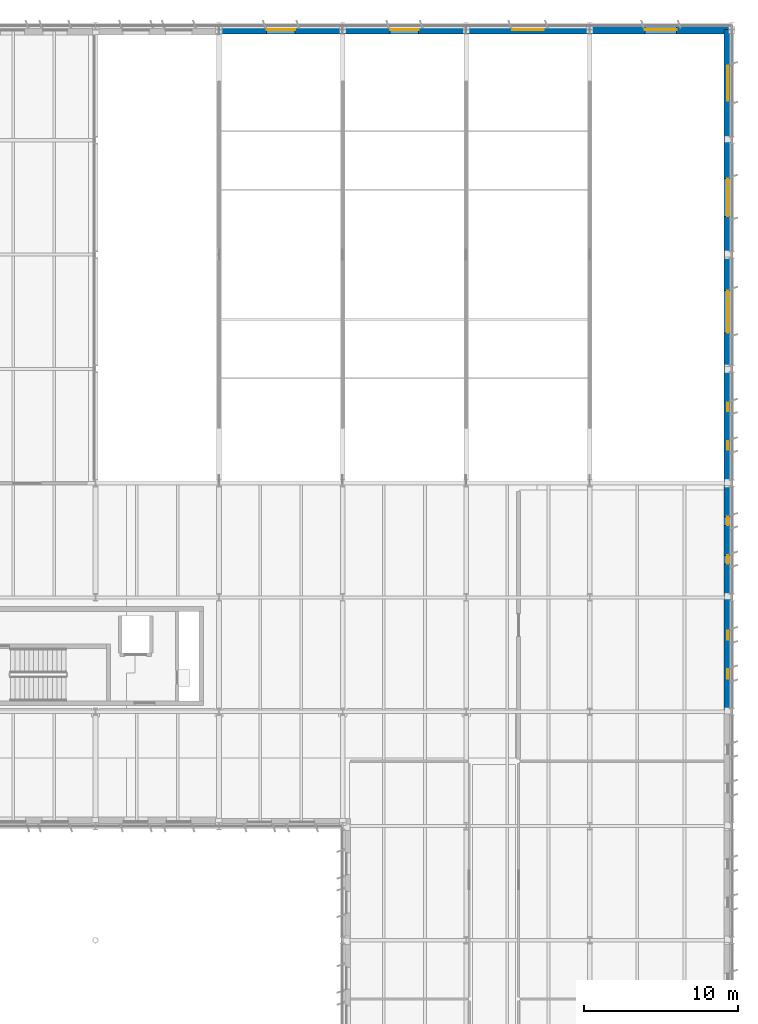
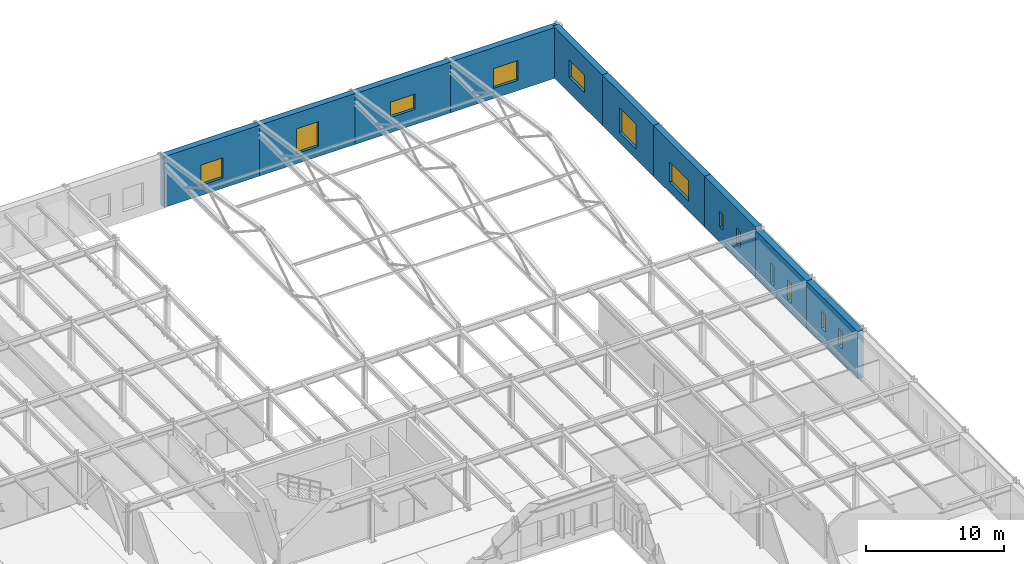
# One storey, part 52 of 75: 13 windows, 10 walls, 13 openings.
"""IFC4 building model written with IfcOpenShell, lengths in metres."""

from ifc_helpers import new_model, si_unit, direction, frame, frame_2d, origin, place, context, subcontext, project, spatial, rectangle, extrude, material, layer, layer_set, type_object, element, fill, save


model = new_model("IFC4")

# Units and contexts
model_context = context("Model", 3, precision=1e-05, world=origin(), true_north=direction((0.0, 1.0)))
body_context = subcontext(model_context, "Body", "Model", "MODEL_VIEW")
ifc_project = project(units=[si_unit("LENGTHUNIT", "METRE"), si_unit("AREAUNIT", "SQUARE_METRE"), si_unit("VOLUMEUNIT", "CUBIC_METRE"), si_unit("PLANEANGLEUNIT", "RADIAN"), si_unit("MASSUNIT", "GRAM", prefix="KILO")], contexts=[model_context])

# Site, building, storey
site_placement = place(None, origin())
site = spatial("IfcSite", under=ifc_project, at=site_placement, CompositionType="ELEMENT")
building_placement = place(site_placement, origin())
building = spatial("IfcBuilding", under=site, at=building_placement, Name="Valkorina Park Police Headquarters", CompositionType="ELEMENT")
storey_placement = place(building_placement, frame((0.0, 0.0, 5.39990234375)))
storey = spatial("IfcBuildingStorey", under=building, at=storey_placement, Name="L02", CompositionType="ELEMENT", Elevation=5.39990234375)

# Wall, opening, window
ifc_material_1 = material(Name="Precast concrete C40/50", Category="concrete")
ifc_layer_1 = layer(ifc_material_1, 0.5)
ifc_layer_set_1 = layer_set([ifc_layer_1], Name="Precast concrete C40/50")
wall_type = type_object("IfcWallType", Name="WL-EXT-SPANDREL-500", PredefinedType="STANDARD", material=ifc_layer_set_1)
wall_1_placement = place(storey_placement, frame((128.800048828125, 110.75, 0.0), z_axis=(0.0, 0.0, 1.0), x_axis=(1.0, 0.0, 0.0)))
wall_1 = element("IfcWall", 1, at=wall_1_placement, inside=storey, type_object=wall_type, Name="L02 Architectural Concrete Exterior Wall 0148", PredefinedType="STANDARD", context=body_context, shape_type="SweptSolid", body=[
    extrude(rectangle(XDim=8.0, YDim=0.5, at=frame_2d((4.0, 0.0))), origin(), (0.0, 0.0, 1.0), 4.5),
])
opening_1_placement = place(wall_1_placement, frame((3.074951171875, 0.0, 0.89990234375)))
opening_1 = element("IfcOpeningElement", 2, at=opening_1_placement, cuts=wall_1, Name="Opening WN-29", PredefinedType="OPENING", context=body_context, shape_type="SweptSolid", body=[
    extrude(rectangle(XDim=1.85009765625, YDim=1.800048828125, at=frame_2d((0.925048828125, 0.89990234375))), frame((0.0, 0.260009765625, 0.0), z_axis=(0.0, -1.0, 0.0), x_axis=(1.0, 0.0, 0.0)), (0.0, 0.0, 1.0), 0.52001953125),
])
ifc_material_2 = material(Name="Triple low-E insulated glazing", Category="glass")
ifc_layer_2 = layer(ifc_material_2, 0.06005859375)
ifc_layer_set_2 = layer_set([ifc_layer_2], Name="Triple low-E insulated glazing")
window_type_1 = type_object("IfcWindowType", Name="WN-OFF-1850x1800", PartitioningType="SINGLE_PANEL", PredefinedType="WINDOW", material=ifc_layer_set_2)
window_1_placement = place(opening_1_placement, origin())
window_1 = element("IfcWindow", 3, at=window_1_placement, inside=storey, type_object=window_type_1, Name="Window L02-0248", OverallHeight=1.800048828125, OverallWidth=1.85009765625, PartitioningType="SINGLE_PANEL", PredefinedType="WINDOW", context=body_context, shape_type="SweptSolid", body=[
    extrude(rectangle(XDim=1.85009765625, YDim=1.800048828125, at=frame_2d((0.925048828125, 0.89990234375))), frame((0.0, 0.030029296875, 0.0), z_axis=(0.0, -1.0, 0.0), x_axis=(1.0, 0.0, 0.0)), (0.0, 0.0, 1.0), 0.06005859375),
])
fill(opening_1, window_1)

wall_2_placement = place(storey_placement, frame((136.800048828125, 110.75, 0.0), z_axis=(0.0, 0.0, 1.0), x_axis=(1.0, 0.0, 0.0)))
wall_2 = element("IfcWall", 4, at=wall_2_placement, inside=storey, type_object=wall_type, Name="L02 Architectural Concrete Exterior Wall 0149", PredefinedType="STANDARD", context=body_context, shape_type="SweptSolid", body=[
    extrude(rectangle(XDim=8.0, YDim=0.5, at=frame_2d((4.0, 0.0))), origin(), (0.0, 0.0, 1.0), 4.5),
])
opening_2_placement = place(wall_2_placement, frame((3.074951171875, 0.0, 0.89990234375)))
opening_2 = element("IfcOpeningElement", 5, at=opening_2_placement, cuts=wall_2, Name="Opening WN-30", PredefinedType="OPENING", context=body_context, shape_type="SweptSolid", body=[
    extrude(rectangle(XDim=1.85009765625, YDim=2.199951171875, at=frame_2d((0.925048828125, 1.10009765625))), frame((0.0, 0.260009765625, 0.0), z_axis=(0.0, -1.0, 0.0), x_axis=(1.0, 0.0, 0.0)), (0.0, 0.0, 1.0), 0.52001953125),
])
ifc_layer_3 = layer(ifc_material_2, 0.06005859375)
ifc_layer_set_3 = layer_set([ifc_layer_3], Name="Triple low-E insulated glazing")
window_type_2 = type_object("IfcWindowType", Name="WN-OFF-1850x2200", PartitioningType="SINGLE_PANEL", PredefinedType="WINDOW", material=ifc_layer_set_3)
window_2_placement = place(opening_2_placement, origin())
window_2 = element("IfcWindow", 6, at=window_2_placement, inside=storey, type_object=window_type_2, Name="Window L02-0249", OverallHeight=2.199951171875, OverallWidth=1.85009765625, PartitioningType="SINGLE_PANEL", PredefinedType="WINDOW", context=body_context, shape_type="SweptSolid", body=[
    extrude(rectangle(XDim=1.85009765625, YDim=2.199951171875, at=frame_2d((0.925048828125, 1.10009765625))), frame((0.0, 0.030029296875, 0.0), z_axis=(0.0, -1.0, 0.0), x_axis=(1.0, 0.0, 0.0)), (0.0, 0.0, 1.0), 0.06005859375),
])
fill(opening_2, window_2)

wall_3_placement = place(storey_placement, frame((144.800048828125, 110.75, 0.0), z_axis=(0.0, 0.0, 1.0), x_axis=(1.0, 0.0, 0.0)))
wall_3 = element("IfcWall", 7, at=wall_3_placement, inside=storey, type_object=wall_type, Name="L02 Architectural Concrete Exterior Wall 0150", PredefinedType="STANDARD", context=body_context, shape_type="SweptSolid", body=[
    extrude(rectangle(XDim=8.0, YDim=0.5, at=frame_2d((4.0, 0.0))), origin(), (0.0, 0.0, 1.0), 4.5),
])
opening_3_placement = place(wall_3_placement, frame((2.97509765625, 0.0, 1.35009765625)))
opening_3 = element("IfcOpeningElement", 8, at=opening_3_placement, cuts=wall_3, Name="Opening WN-31", PredefinedType="OPENING", context=body_context, shape_type="SweptSolid", body=[
    extrude(rectangle(XDim=2.050048828125, YDim=1.35009765625, at=frame_2d((1.02490234375, 0.675048828125))), frame((0.0, 0.260009765625, 0.0), z_axis=(0.0, -1.0, 0.0), x_axis=(1.0, 0.0, 0.0)), (0.0, 0.0, 1.0), 0.52001953125),
])
ifc_layer_4 = layer(ifc_material_2, 0.06005859375)
ifc_layer_set_4 = layer_set([ifc_layer_4], Name="Triple low-E insulated glazing")
window_type_3 = type_object("IfcWindowType", Name="WN-GYM-2050x1350", PartitioningType="SINGLE_PANEL", PredefinedType="WINDOW", material=ifc_layer_set_4)
window_3_placement = place(opening_3_placement, origin())
window_3 = element("IfcWindow", 9, at=window_3_placement, inside=storey, type_object=window_type_3, Name="Window L02-0250", OverallHeight=1.35009765625, OverallWidth=2.050048828125, PartitioningType="SINGLE_PANEL", PredefinedType="WINDOW", context=body_context, shape_type="SweptSolid", body=[
    extrude(rectangle(XDim=2.050048828125, YDim=1.35009765625, at=frame_2d((1.02490234375, 0.675048828125))), frame((0.0, 0.030029296875, 0.0), z_axis=(0.0, -1.0, 0.0), x_axis=(1.0, 0.0, 0.0)), (0.0, 0.0, 1.0), 0.06005859375),
])
fill(opening_3, window_3)

wall_4_placement = place(storey_placement, frame((152.800048828125, 110.75, 0.0), z_axis=(0.0, 0.0, 1.0), x_axis=(1.0, 0.0, 0.0)))
wall_4 = element("IfcWall", 10, at=wall_4_placement, inside=storey, type_object=wall_type, Name="L02 Architectural Concrete Exterior Wall 0151", PredefinedType="STANDARD", context=body_context, shape_type="SweptSolid", body=[
    extrude(rectangle(XDim=9.0400390625, YDim=0.5, at=frame_2d((4.52001953125, 0.0))), origin(), (0.0, 0.0, 1.0), 4.5),
])
opening_4_placement = place(wall_4_placement, frame((3.574951171875, 0.0, 0.89990234375)))
opening_4 = element("IfcOpeningElement", 11, at=opening_4_placement, cuts=wall_4, Name="Opening WN-32", PredefinedType="OPENING", context=body_context, shape_type="SweptSolid", body=[
    extrude(rectangle(XDim=2.050048828125, YDim=1.75, at=frame_2d((1.02490234375, 0.875))), frame((0.0, 0.260009765625, 0.0), z_axis=(0.0, -1.0, 0.0), x_axis=(1.0, 0.0, 0.0)), (0.0, 0.0, 1.0), 0.52001953125),
])
ifc_layer_5 = layer(ifc_material_2, 0.06005859375)
ifc_layer_set_5 = layer_set([ifc_layer_5], Name="Triple low-E insulated glazing")
window_type_4 = type_object("IfcWindowType", Name="WN-GYM-2050x1750", PartitioningType="SINGLE_PANEL", PredefinedType="WINDOW", material=ifc_layer_set_5)
window_4_placement = place(opening_4_placement, origin())
window_4 = element("IfcWindow", 12, at=window_4_placement, inside=storey, type_object=window_type_4, Name="Window L02-0251", OverallHeight=1.75, OverallWidth=2.050048828125, PartitioningType="SINGLE_PANEL", PredefinedType="WINDOW", context=body_context, shape_type="SweptSolid", body=[
    extrude(rectangle(XDim=2.050048828125, YDim=1.75, at=frame_2d((1.02490234375, 0.875))), frame((0.0, 0.030029296875, 0.0), z_axis=(0.0, -1.0, 0.0), x_axis=(1.0, 0.0, 0.0)), (0.0, 0.0, 1.0), 0.06005859375),
])
fill(opening_4, window_4)

wall_5_placement = place(storey_placement, frame((161.75, 110.764892578125, 0.0), z_axis=(0.0, 0.0, 1.0), x_axis=(0.0, -1.0, 0.0)))
wall_5 = element("IfcWall", 13, at=wall_5_placement, inside=storey, type_object=wall_type, Name="L02 Architectural Concrete Exterior Wall 0152", PredefinedType="STANDARD", context=body_context, shape_type="SweptSolid", body=[
    extrude(rectangle(XDim=7.164794921875, YDim=0.5, at=frame_2d((3.58251953125, 0.0))), origin(), (0.0, 0.0, 1.0), 4.5),
])
opening_5_placement = place(wall_5_placement, frame((2.340087890625, 0.0, 1.35009765625)))
opening_5 = element("IfcOpeningElement", 14, at=opening_5_placement, cuts=wall_5, Name="Opening WN-33", PredefinedType="OPENING", context=body_context, shape_type="SweptSolid", body=[
    extrude(rectangle(XDim=2.25, YDim=1.550048828125, at=frame_2d((1.125, 0.77490234375))), frame((0.0, 0.260009765625, 0.0), z_axis=(0.0, -1.0, 0.0), x_axis=(1.0, 0.0, 0.0)), (0.0, 0.0, 1.0), 0.52001953125),
])
ifc_layer_6 = layer(ifc_material_2, 0.06005859375)
ifc_layer_set_6 = layer_set([ifc_layer_6], Name="Triple low-E insulated glazing")
window_type_5 = type_object("IfcWindowType", Name="WN-GYM-2250x1550", PartitioningType="SINGLE_PANEL", PredefinedType="WINDOW", material=ifc_layer_set_6)
window_5_placement = place(opening_5_placement, origin())
window_5 = element("IfcWindow", 15, at=window_5_placement, inside=storey, type_object=window_type_5, Name="Window L02-0252", OverallHeight=1.550048828125, OverallWidth=2.25, PartitioningType="SINGLE_PANEL", PredefinedType="WINDOW", context=body_context, shape_type="SweptSolid", body=[
    extrude(rectangle(XDim=2.25, YDim=1.550048828125, at=frame_2d((1.125, 0.77490234375))), frame((0.0, 0.030029296875, 0.0), z_axis=(0.0, -1.0, 0.0), x_axis=(1.0, 0.0, 0.0)), (0.0, 0.0, 1.0), 0.06005859375),
])
fill(opening_5, window_5)

wall_6_placement = place(storey_placement, frame((161.75, 103.60009765625, 0.0), z_axis=(0.0, 0.0, 1.0), x_axis=(0.0, -1.0, 0.0)))
wall_6 = element("IfcWall", 16, at=wall_6_placement, inside=storey, type_object=wall_type, Name="L02 Architectural Concrete Exterior Wall 0153", PredefinedType="STANDARD", context=body_context, shape_type="SweptSolid", body=[
    extrude(rectangle(XDim=7.400146484375, YDim=0.5, at=frame_2d((3.7001953125, 0.0))), origin(), (0.0, 0.0, 1.0), 4.5),
])
opening_6_placement = place(wall_6_placement, frame((2.47509765625, 0.0, 0.89990234375)))
opening_6 = element("IfcOpeningElement", 17, at=opening_6_placement, cuts=wall_6, Name="Opening WN-34", PredefinedType="OPENING", context=body_context, shape_type="SweptSolid", body=[
    extrude(rectangle(XDim=2.449951171875, YDim=2.199951171875, at=frame_2d((1.22509765625, 1.10009765625))), frame((0.0, 0.260009765625, 0.0), z_axis=(0.0, -1.0, 0.0), x_axis=(1.0, 0.0, 0.0)), (0.0, 0.0, 1.0), 0.52001953125),
])
ifc_layer_7 = layer(ifc_material_2, 0.06005859375)
ifc_layer_set_7 = layer_set([ifc_layer_7], Name="Triple low-E insulated glazing")
window_type_6 = type_object("IfcWindowType", Name="WN-HALL-2450x2200", PartitioningType="SINGLE_PANEL", PredefinedType="WINDOW", material=ifc_layer_set_7)
window_6_placement = place(opening_6_placement, origin())
window_6 = element("IfcWindow", 18, at=window_6_placement, inside=storey, type_object=window_type_6, Name="Window L02-0253", OverallHeight=2.199951171875, OverallWidth=2.449951171875, PartitioningType="SINGLE_PANEL", PredefinedType="WINDOW", context=body_context, shape_type="SweptSolid", body=[
    extrude(rectangle(XDim=2.449951171875, YDim=2.199951171875, at=frame_2d((1.22509765625, 1.10009765625))), frame((0.0, 0.030029296875, 0.0), z_axis=(0.0, -1.0, 0.0), x_axis=(1.0, 0.0, 0.0)), (0.0, 0.0, 1.0), 0.06005859375),
])
fill(opening_6, window_6)

wall_7_placement = place(storey_placement, frame((161.75, 96.199951171875, 0.0), z_axis=(0.0, 0.0, 1.0), x_axis=(0.0, -1.0, 0.0)))
wall_7 = element("IfcWall", 19, at=wall_7_placement, inside=storey, type_object=wall_type, Name="L02 Architectural Concrete Exterior Wall 0154", PredefinedType="STANDARD", context=body_context, shape_type="SweptSolid", body=[
    extrude(rectangle(XDim=7.39990234375, YDim=0.5, at=frame_2d((3.699951171875, 0.0))), origin(), (0.0, 0.0, 1.0), 4.5),
])
opening_7_placement = place(wall_7_placement, frame((2.324951171875, 0.0, 0.89990234375)))
opening_7 = element("IfcOpeningElement", 20, at=opening_7_placement, cuts=wall_7, Name="Opening WN-36", PredefinedType="OPENING", context=body_context, shape_type="SweptSolid", body=[
    extrude(rectangle(XDim=2.75, YDim=1.800048828125, at=frame_2d((1.375, 0.89990234375))), frame((0.0, 0.260009765625, 0.0), z_axis=(0.0, -1.0, 0.0), x_axis=(1.0, 0.0, 0.0)), (0.0, 0.0, 1.0), 0.52001953125),
])
ifc_layer_8 = layer(ifc_material_2, 0.06005859375)
ifc_layer_set_8 = layer_set([ifc_layer_8], Name="Triple low-E insulated glazing")
window_type_7 = type_object("IfcWindowType", Name="WN-CMD-2750x1800", PartitioningType="SINGLE_PANEL", PredefinedType="WINDOW", material=ifc_layer_set_8)
window_7_placement = place(opening_7_placement, origin())
window_7 = element("IfcWindow", 21, at=window_7_placement, inside=storey, type_object=window_type_7, Name="Window L02-0254", OverallHeight=1.800048828125, OverallWidth=2.75, PartitioningType="SINGLE_PANEL", PredefinedType="WINDOW", context=body_context, shape_type="SweptSolid", body=[
    extrude(rectangle(XDim=2.75, YDim=1.800048828125, at=frame_2d((1.375, 0.89990234375))), frame((0.0, 0.030029296875, 0.0), z_axis=(0.0, -1.0, 0.0), x_axis=(1.0, 0.0, 0.0)), (0.0, 0.0, 1.0), 0.06005859375),
])
fill(opening_7, window_7)

# Wall, openings, windows
wall_8_placement = place(storey_placement, frame((161.75, 88.800048828125, 0.0), z_axis=(0.0, 0.0, 1.0), x_axis=(0.0, -1.0, 0.0)))
wall_8 = element("IfcWall", 22, at=wall_8_placement, inside=storey, type_object=wall_type, Name="L02 Architectural Concrete Exterior Wall 0155", PredefinedType="STANDARD", context=body_context, shape_type="SweptSolid", body=[
    extrude(rectangle(XDim=7.400146484375, YDim=0.5, at=frame_2d((3.7001953125, 0.0))), origin(), (0.0, 0.0, 1.0), 4.5),
])
opening_8_placement = place(wall_8_placement, frame((2.177490234375, 0.0, 1.35009765625)))
opening_8 = element("IfcOpeningElement", 23, at=opening_8_placement, cuts=wall_8, Name="Opening WN-01", PredefinedType="OPENING", context=body_context, shape_type="SweptSolid", body=[
    extrude(rectangle(XDim=0.550048828125, YDim=1.39990234375, at=frame_2d((0.27490234375, 0.699951171875))), frame((0.0, 0.260009765625, 0.0), z_axis=(0.0, -1.0, 0.0), x_axis=(1.0, 0.0, 0.0)), (0.0, 0.0, 1.0), 0.52001953125),
])
opening_9_placement = place(wall_8_placement, frame((4.67236328125, 0.0, 1.35009765625)))
opening_9 = element("IfcOpeningElement", 24, at=opening_9_placement, cuts=wall_8, Name="Opening WN-01", PredefinedType="OPENING", context=body_context, shape_type="SweptSolid", body=[
    extrude(rectangle(XDim=0.550048828125, YDim=1.39990234375, at=frame_2d((0.27490234375, 0.699951171875))), frame((0.0, 0.260009765625, 0.0), z_axis=(0.0, -1.0, 0.0), x_axis=(1.0, 0.0, 0.0)), (0.0, 0.0, 1.0), 0.52001953125),
])
ifc_layer_9 = layer(ifc_material_2, 0.06005859375)
ifc_layer_set_9 = layer_set([ifc_layer_9], Name="Triple low-E insulated glazing")
window_type_8 = type_object("IfcWindowType", Name="WN-SLOT-550x1400", PartitioningType="SINGLE_PANEL", PredefinedType="WINDOW", material=ifc_layer_set_9)
window_8_placement = place(opening_8_placement, origin())
window_8 = element("IfcWindow", 25, at=window_8_placement, inside=storey, type_object=window_type_8, Name="Window L02-0255", OverallHeight=1.39990234375, OverallWidth=0.550048828125, PartitioningType="SINGLE_PANEL", PredefinedType="WINDOW", context=body_context, shape_type="SweptSolid", body=[
    extrude(rectangle(XDim=0.550048828125, YDim=1.39990234375, at=frame_2d((0.27490234375, 0.699951171875))), frame((0.0, 0.030029296875, 0.0), z_axis=(0.0, -1.0, 0.0), x_axis=(1.0, 0.0, 0.0)), (0.0, 0.0, 1.0), 0.06005859375),
])
fill(opening_8, window_8)
window_9_placement = place(opening_9_placement, origin())
window_9 = element("IfcWindow", 26, at=window_9_placement, inside=storey, type_object=window_type_8, Name="Window L02-0256", OverallHeight=1.39990234375, OverallWidth=0.550048828125, PartitioningType="SINGLE_PANEL", PredefinedType="WINDOW", context=body_context, shape_type="SweptSolid", body=[
    extrude(rectangle(XDim=0.550048828125, YDim=1.39990234375, at=frame_2d((0.27490234375, 0.699951171875))), frame((0.0, 0.030029296875, 0.0), z_axis=(0.0, -1.0, 0.0), x_axis=(1.0, 0.0, 0.0)), (0.0, 0.0, 1.0), 0.06005859375),
])
fill(opening_9, window_9)

wall_9_placement = place(storey_placement, frame((161.75, 81.39990234375, 0.0), z_axis=(0.0, 0.0, 1.0), x_axis=(0.0, -1.0, 0.0)))
wall_9 = element("IfcWall", 27, at=wall_9_placement, inside=storey, type_object=wall_type, Name="L02 Architectural Concrete Exterior Wall 0156", PredefinedType="STANDARD", context=body_context, shape_type="SweptSolid", body=[
    extrude(rectangle(XDim=7.39990234375, YDim=0.5, at=frame_2d((3.699951171875, 0.0))), origin(), (0.0, 0.0, 1.0), 4.2001953125),
])
opening_10_placement = place(wall_9_placement, frame((2.177490234375, 0.0, 0.89990234375)))
opening_10 = element("IfcOpeningElement", 28, at=opening_10_placement, cuts=wall_9, Name="Opening WN-02", PredefinedType="OPENING", context=body_context, shape_type="SweptSolid", body=[
    extrude(rectangle(XDim=0.550048828125, YDim=1.75, at=frame_2d((0.27490234375, 0.875))), frame((0.0, 0.260009765625, 0.0), z_axis=(0.0, -1.0, 0.0), x_axis=(1.0, 0.0, 0.0)), (0.0, 0.0, 1.0), 0.52001953125),
])
opening_11_placement = place(wall_9_placement, frame((4.67236328125, 0.0, 0.89990234375)))
opening_11 = element("IfcOpeningElement", 29, at=opening_11_placement, cuts=wall_9, Name="Opening WN-02", PredefinedType="OPENING", context=body_context, shape_type="SweptSolid", body=[
    extrude(rectangle(XDim=0.550048828125, YDim=1.75, at=frame_2d((0.27490234375, 0.875))), frame((0.0, 0.260009765625, 0.0), z_axis=(0.0, -1.0, 0.0), x_axis=(1.0, 0.0, 0.0)), (0.0, 0.0, 1.0), 0.52001953125),
])
ifc_layer_10 = layer(ifc_material_2, 0.06005859375)
ifc_layer_set_10 = layer_set([ifc_layer_10], Name="Triple low-E insulated glazing")
window_type_9 = type_object("IfcWindowType", Name="WN-SLOT-550x1750", PartitioningType="SINGLE_PANEL", PredefinedType="WINDOW", material=ifc_layer_set_10)
window_10_placement = place(opening_10_placement, origin())
window_10 = element("IfcWindow", 30, at=window_10_placement, inside=storey, type_object=window_type_9, Name="Window L02-0257", OverallHeight=1.75, OverallWidth=0.550048828125, PartitioningType="SINGLE_PANEL", PredefinedType="WINDOW", context=body_context, shape_type="SweptSolid", body=[
    extrude(rectangle(XDim=0.550048828125, YDim=1.75, at=frame_2d((0.27490234375, 0.875))), frame((0.0, 0.030029296875, 0.0), z_axis=(0.0, -1.0, 0.0), x_axis=(1.0, 0.0, 0.0)), (0.0, 0.0, 1.0), 0.06005859375),
])
fill(opening_10, window_10)
window_11_placement = place(opening_11_placement, origin())
window_11 = element("IfcWindow", 31, at=window_11_placement, inside=storey, type_object=window_type_9, Name="Window L02-0258", OverallHeight=1.75, OverallWidth=0.550048828125, PartitioningType="SINGLE_PANEL", PredefinedType="WINDOW", context=body_context, shape_type="SweptSolid", body=[
    extrude(rectangle(XDim=0.550048828125, YDim=1.75, at=frame_2d((0.27490234375, 0.875))), frame((0.0, 0.030029296875, 0.0), z_axis=(0.0, -1.0, 0.0), x_axis=(1.0, 0.0, 0.0)), (0.0, 0.0, 1.0), 0.06005859375),
])
fill(opening_11, window_11)

wall_10_placement = place(storey_placement, frame((161.75, 74.0, 0.0), z_axis=(0.0, 0.0, 1.0), x_axis=(0.0, -1.0, 0.0)))
wall_10 = element("IfcWall", 32, at=wall_10_placement, inside=storey, type_object=wall_type, Name="L02 Architectural Concrete Exterior Wall 0157", PredefinedType="STANDARD", context=body_context, shape_type="SweptSolid", body=[
    extrude(rectangle(XDim=7.39990234375, YDim=0.5, at=frame_2d((3.699951171875, 0.0))), origin(), (0.0, 0.0, 1.0), 4.2001953125),
])
opening_12_placement = place(wall_10_placement, frame((2.152587890625, 0.0, 1.35009765625)))
opening_12 = element("IfcOpeningElement", 33, at=opening_12_placement, cuts=wall_10, Name="Opening WN-03", PredefinedType="OPENING", context=body_context, shape_type="SweptSolid", body=[
    extrude(rectangle(XDim=0.60009765625, YDim=1.5, at=frame_2d((0.300048828125, 0.75))), frame((0.0, 0.260009765625, 0.0), z_axis=(0.0, -1.0, 0.0), x_axis=(1.0, 0.0, 0.0)), (0.0, 0.0, 1.0), 0.52001953125),
])
opening_13_placement = place(wall_10_placement, frame((4.6474609375, 0.0, 1.35009765625)))
opening_13 = element("IfcOpeningElement", 34, at=opening_13_placement, cuts=wall_10, Name="Opening WN-03", PredefinedType="OPENING", context=body_context, shape_type="SweptSolid", body=[
    extrude(rectangle(XDim=0.60009765625, YDim=1.5, at=frame_2d((0.300048828125, 0.75))), frame((0.0, 0.260009765625, 0.0), z_axis=(0.0, -1.0, 0.0), x_axis=(1.0, 0.0, 0.0)), (0.0, 0.0, 1.0), 0.52001953125),
])
ifc_layer_11 = layer(ifc_material_2, 0.06005859375)
ifc_layer_set_11 = layer_set([ifc_layer_11], Name="Triple low-E insulated glazing")
window_type_10 = type_object("IfcWindowType", Name="WN-SLOT-600x1500", PartitioningType="SINGLE_PANEL", PredefinedType="WINDOW", material=ifc_layer_set_11)
window_12_placement = place(opening_12_placement, origin())
window_12 = element("IfcWindow", 35, at=window_12_placement, inside=storey, type_object=window_type_10, Name="Window L02-0259", OverallHeight=1.5, OverallWidth=0.60009765625, PartitioningType="SINGLE_PANEL", PredefinedType="WINDOW", context=body_context, shape_type="SweptSolid", body=[
    extrude(rectangle(XDim=0.60009765625, YDim=1.5, at=frame_2d((0.300048828125, 0.75))), frame((0.0, 0.030029296875, 0.0), z_axis=(0.0, -1.0, 0.0), x_axis=(1.0, 0.0, 0.0)), (0.0, 0.0, 1.0), 0.06005859375),
])
fill(opening_12, window_12)
window_13_placement = place(opening_13_placement, origin())
window_13 = element("IfcWindow", 36, at=window_13_placement, inside=storey, type_object=window_type_10, Name="Window L02-0260", OverallHeight=1.5, OverallWidth=0.60009765625, PartitioningType="SINGLE_PANEL", PredefinedType="WINDOW", context=body_context, shape_type="SweptSolid", body=[
    extrude(rectangle(XDim=0.60009765625, YDim=1.5, at=frame_2d((0.300048828125, 0.75))), frame((0.0, 0.030029296875, 0.0), z_axis=(0.0, -1.0, 0.0), x_axis=(1.0, 0.0, 0.0)), (0.0, 0.0, 1.0), 0.06005859375),
])
fill(opening_13, window_13)

save(model, "model.ifc")
